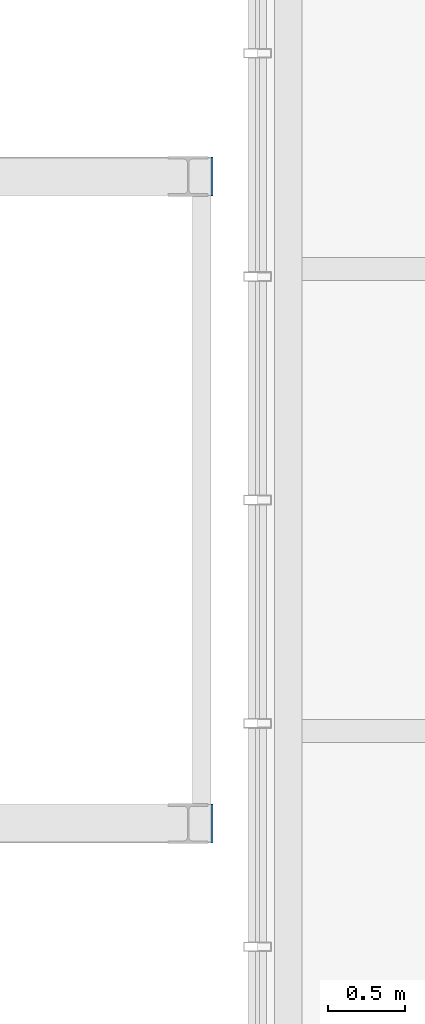
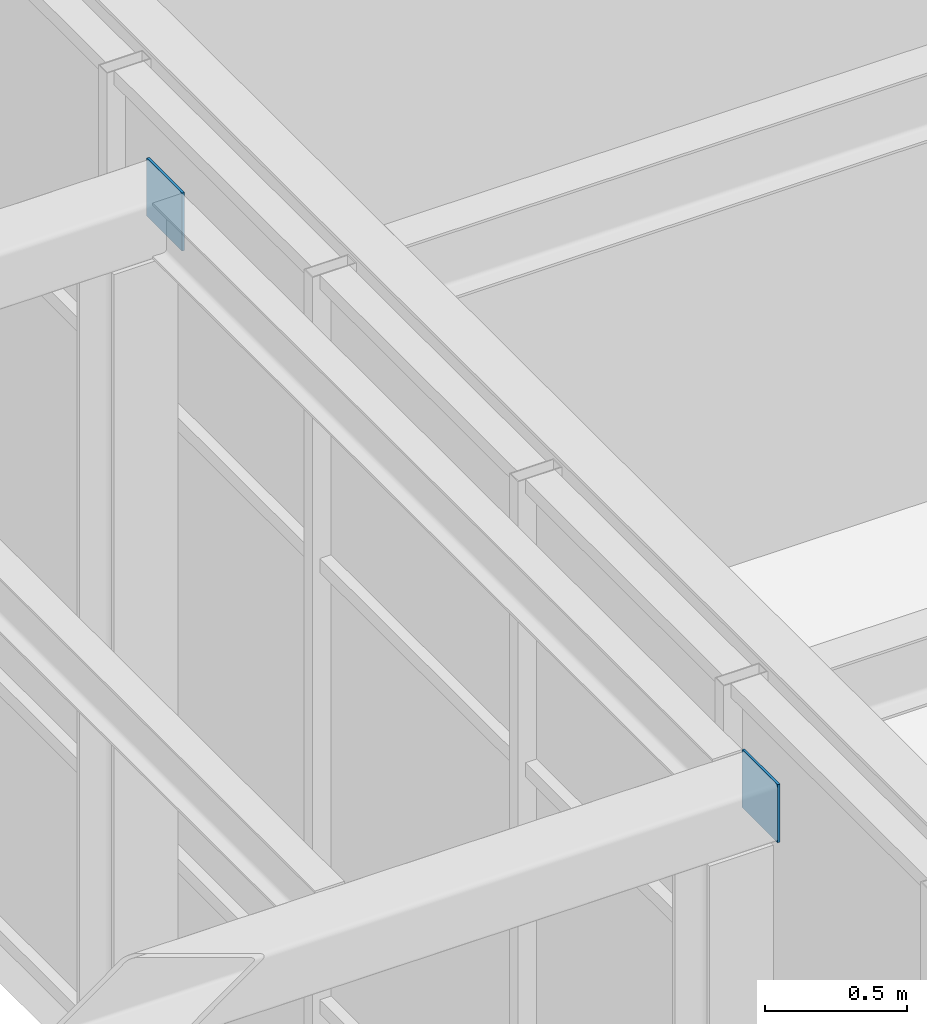
# One storey, part 128 of 153: 2 discrete accessories.
"""IFC4 building model written with IfcOpenShell, lengths in metres."""

from ifc_helpers import new_model, si_unit, direction, frame, origin, origin_2d, place, context, subcontext, project, spatial, rectangle, extrude, material, material_profile, profile_set, type_object, element, save


model = new_model("IFC4")

# Units and contexts
model_context = context("Model", 3, precision=1e-05, world=origin(), true_north=direction((0.0, 1.0)))
body_context = subcontext(model_context, "Body", "Model", "MODEL_VIEW")
ifc_project = project(units=[si_unit("LENGTHUNIT", "METRE"), si_unit("AREAUNIT", "SQUARE_METRE"), si_unit("VOLUMEUNIT", "CUBIC_METRE"), si_unit("PLANEANGLEUNIT", "RADIAN"), si_unit("MASSUNIT", "GRAM", prefix="KILO")], contexts=[model_context])

# Site, building, storey
site_placement = place(None, origin())
site = spatial("IfcSite", under=ifc_project, at=site_placement, CompositionType="ELEMENT")
building_placement = place(site_placement, origin())
building = spatial("IfcBuilding", under=site, at=building_placement, Name="Kallimachos Central Library", CompositionType="ELEMENT")
storey_placement = place(building_placement, frame((0.0, 0.0, 5.39990234375)))
storey = spatial("IfcBuildingStorey", under=building, at=storey_placement, Name="L01", CompositionType="ELEMENT", Elevation=5.39990234375)

# Discrete accessories
ifc_material = material(Name="Steel S355J2", Category="steel")
ifc_material_profile = material_profile(ifc_material, rectangle(XDim=0.25, YDim=0.25, at=origin_2d()), Name="End cap plate 10, 250x250")
ifc_profile_set = profile_set([ifc_material_profile], Name="Steel S355J2")
discrete_accessory_type = type_object("IfcDiscreteAccessoryType", Name="End cap plate 10, 250x250", PredefinedType="BRACKET", material=ifc_profile_set)
for number, where, z_axis, x_axis, name in (
    (1, (137.699951171875, 98.39990234375, 4.22509765625), (1.0, 0.0, 0.0), (0.0, 1.0, 0.0), "End cap plate"),
    (2, (137.699951171875, 102.60009765625, 4.22509765625), (1.0, 0.0, 0.0), (0.0, 1.0, 0.0), "End cap plate"),
):
    element("IfcDiscreteAccessory", number, at=place(storey_placement, frame(where, z_axis=z_axis, x_axis=x_axis)), inside=storey, type_object=discrete_accessory_type, Name=name, PredefinedType="BRACKET", context=body_context, shape_type="SweptSolid", body=[
        extrude(rectangle(XDim=0.25, YDim=0.25, at=origin_2d()), origin(), (0.0, 0.0, 1.0), 0.010009765625),
    ])

save(model, "model.ifc")
